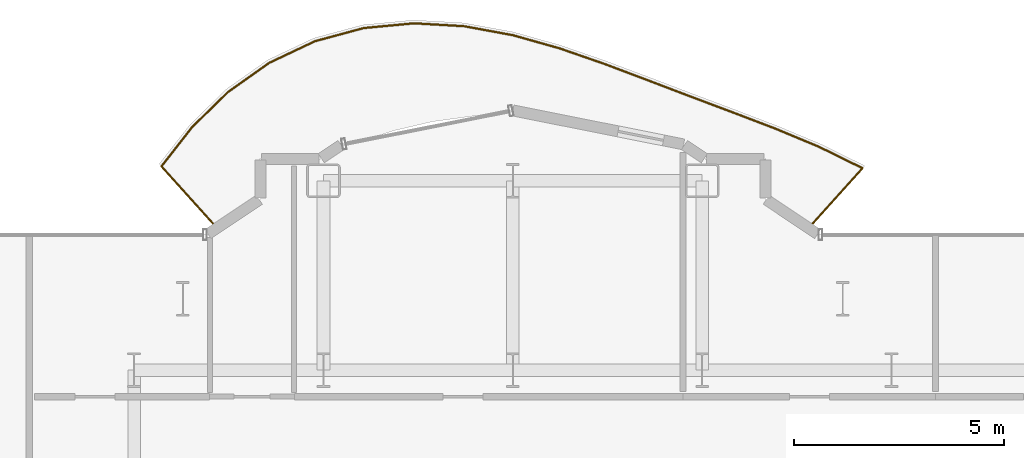
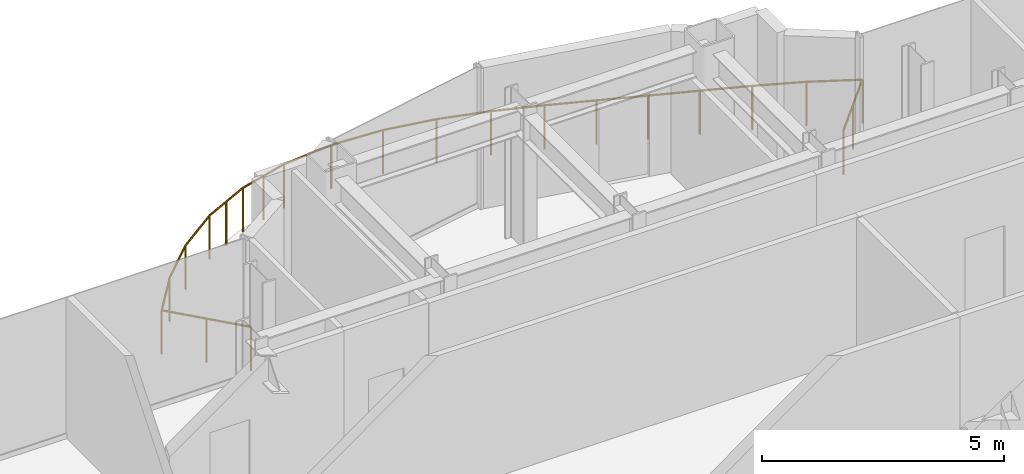
# One storey, part 26 of 26: 1 railing.
"""IFC4 building model written with IfcOpenShell, lengths in metres."""

import ifcopenshell
import ifcopenshell.guid

model = None  # the IFC model being written
_history = None  # IfcOwnerHistory: only IFC2X3 demands one
_inside = {}  # id of a spatial element -> (the spatial element, [elements in it])
_under = {}  # id of a project, library or spatial element -> (it, [spatial elements below it])
_declared = {}  # id of a project -> (the project, [libraries it declares])
_typed = {}  # id of a type object -> (the type object, [elements of that type])
_made_of = {}  # id of a material, layer set ... -> (it, [elements and type objects made of it])


def new_model(schema):
    """Start an empty IFC model of exactly this schema.

    Asked for "IFC4X3", IfcOpenShell would pick the latest addendum, in which some entities
    have other attributes; the version numbers below select the first issue.
    IFC2X3 requires an IfcOwnerHistory on every rooted entity: one is made here for all.
    """
    global model, _history
    if schema == "IFC4X3":
        model = ifcopenshell.file(schema_version=(4, 3, 0, 0))
    else:
        model = ifcopenshell.file(schema=schema)
    _inside.clear()
    _under.clear()
    _declared.clear()
    _typed.clear()
    _made_of.clear()
    _history = None
    if model.schema == "IFC2X3":
        org = make("IfcOrganization", Name="unknown")
        user = make(
            "IfcPersonAndOrganization",
            ThePerson=make("IfcPerson", FamilyName="unknown"),
            TheOrganization=org,
        )
        app = make(
            "IfcApplication",
            ApplicationDeveloper=org,
            Version="unknown",
            ApplicationFullName="unknown",
            ApplicationIdentifier="unknown",
        )
        _history = make(
            "IfcOwnerHistory",
            OwningUser=user,
            OwningApplication=app,
            ChangeAction="ADDED",
            CreationDate=0,
        )
    return model


def make(cls, **values):
    """One entity of the class cls with the attributes given. An attribute that is None is left unset."""
    return model.create_entity(
        cls, **{name: value for name, value in values.items() if value is not None}
    )


def rooted(cls, **values):
    """An entity with a GlobalId (a new one), such as an element, a storey or a relation."""
    return make(cls, GlobalId=ifcopenshell.guid.new(), OwnerHistory=_history, **values)


def si_unit(unit_type, name, prefix=None):
    """IfcSIUnit, for example si_unit("LENGTHUNIT", "METRE", prefix="MILLI")."""
    return make("IfcSIUnit", UnitType=unit_type, Prefix=prefix, Name=name)


def assignment(units):
    """IfcUnitAssignment: the units of a project."""
    return None if units is None else make("IfcUnitAssignment", Units=units)


def point(xyz):
    """IfcCartesianPoint."""
    return None if xyz is None else make("IfcCartesianPoint", Coordinates=xyz)


def direction(xyz):
    """IfcDirection."""
    return None if xyz is None else make("IfcDirection", DirectionRatios=xyz)


def frame(location, z_axis=None, x_axis=None):
    """IfcAxis2Placement3D, a coordinate frame: its origin and axes. An axis left out is left unset."""
    return make(
        "IfcAxis2Placement3D",
        Location=point(location),
        Axis=direction(z_axis),
        RefDirection=direction(x_axis),
    )


def frame_2d(location, x_axis=None):
    """IfcAxis2Placement2D, a coordinate frame in the plane: its origin and x axis."""
    return make(
        "IfcAxis2Placement2D", Location=point(location), RefDirection=direction(x_axis)
    )


def origin():
    """The frame at (0, 0, 0) with its axes left unset."""
    return frame((0.0, 0.0, 0.0))


def origin_2d():
    """The frame at (0, 0) in the plane with its x axis left unset."""
    return frame_2d((0.0, 0.0))


def place(relative_to, where):
    """IfcLocalPlacement: puts the frame where relative to a parent placement (None: the world)."""
    return make(
        "IfcLocalPlacement", PlacementRelTo=relative_to, RelativePlacement=where
    )


def context(
    kind, dimensions, precision=None, world=None, true_north=None, identifier=None
):
    """IfcGeometricRepresentationContext, for example the 3D "Model" context."""
    return make(
        "IfcGeometricRepresentationContext",
        ContextIdentifier=identifier,
        ContextType=kind,
        CoordinateSpaceDimension=dimensions,
        Precision=precision,
        WorldCoordinateSystem=world,
        TrueNorth=true_north,
    )


def subcontext(parent, identifier, kind, view, scale=None):
    """IfcGeometricRepresentationSubContext, for example "Body" below "Model"."""
    return make(
        "IfcGeometricRepresentationSubContext",
        ContextIdentifier=identifier,
        ContextType=kind,
        ParentContext=parent,
        TargetScale=scale,
        TargetView=view,
    )


def project(units=None, contexts=None):
    """IfcProject with its units and contexts."""
    return rooted(
        "IfcProject",
        Name="project",
        RepresentationContexts=contexts,
        UnitsInContext=assignment(units),
    )


def spatial(cls, under=None, at=None, **own):
    """A site, building, storey or space (cls), placed at a placement, below another one or the project."""
    s = rooted(cls, ObjectPlacement=at, **own)
    if under is not None:
        _under.setdefault(under.id(), (under, []))[1].append(s)
    return s


def profile(cls, at=None, kind="AREA", **sizes):
    """A parametric profile (cls). Its sizes go by their IFC names, for example OverallWidth=200.0."""
    return make(cls, ProfileType=kind, Position=at, **sizes)


def circle(**sizes):
    """IfcCircleProfileDef."""
    return profile("IfcCircleProfileDef", **sizes)


def extrude(swept, where, along, depth):
    """IfcExtrudedAreaSolid: the profile swept, set in the frame where, extruded along a direction by depth."""
    return make(
        "IfcExtrudedAreaSolid",
        SweptArea=swept,
        Position=where,
        ExtrudedDirection=direction(along),
        Depth=depth,
    )


def shape(context_of_items, identifier, shape_type, items):
    """IfcShapeRepresentation: the items that make up one representation, for example the "Body"."""
    return make(
        "IfcShapeRepresentation",
        ContextOfItems=context_of_items,
        RepresentationIdentifier=identifier,
        RepresentationType=shape_type,
        Items=items,
    )


def material(Name=None, Category=None):
    """IfcMaterial."""
    return make("IfcMaterial", Name=Name, Category=Category)


def made_of(thing, what):
    """Note that an element or type object is made of a material, layer set ...; save() writes the relation."""
    if what is not None:
        _made_of.setdefault(what.id(), (what, []))[1].append(thing)
    return thing


def type_object(cls, material=None, **own):
    """A type object (cls), such as IfcWallType, which elements share."""
    return made_of(rooted(cls, **own), material)


def element(
    cls,
    number,
    at=None,
    inside=None,
    cuts=None,
    type_object=None,
    material=None,
    context=None,
    identifier="Body",
    shape_type=None,
    held_by="IfcProductDefinitionShape",
    body=None,
    shapes=None,
    **own,
):
    """One element of the class cls, such as IfcWall. Its Tag is "e" and its number.

    at: its placement. inside: the storey or other place that contains it. cuts: it is an
    opening in that element (IfcRelVoidsElement). A single representation is given by context,
    identifier, shape_type and body (its items); several are given by shapes. held_by: the class
    of the entity that holds the representations. save() writes the other relations.
    """
    e = rooted(cls, Tag="e%d" % number, ObjectPlacement=at, **own)
    if body is not None:
        shapes = [shape(context, identifier, shape_type, body)]
    if shapes is not None:
        e.Representation = make(held_by, Representations=shapes)
    if inside is not None:
        _inside.setdefault(inside.id(), (inside, []))[1].append(e)
    if cuts is not None:
        rooted(
            "IfcRelVoidsElement", RelatingBuildingElement=cuts, RelatedOpeningElement=e
        )
    if type_object is not None:
        _typed.setdefault(type_object.id(), (type_object, []))[1].append(e)
    return made_of(e, material)


def aggregate(whole, parts):
    """IfcRelAggregates: a whole, such as a stair, and the parts it consists of."""
    return rooted("IfcRelAggregates", RelatingObject=whole, RelatedObjects=parts)


def save(model, path):
    """Write the relations noted so far, then the file.

    IfcRelAggregates (storeys below a building ...), IfcRelContainedInSpatialStructure (elements
    in a storey), IfcRelDefinesByType, IfcRelAssociatesMaterial and IfcRelDeclares: one each for
    every whole, place, type object, material and project.
    """
    for whole, parts in _under.values():
        aggregate(whole, parts)
    for where, things in _inside.values():
        rooted(
            "IfcRelContainedInSpatialStructure",
            RelatedElements=things,
            RelatingStructure=where,
        )
    for kind, things in _typed.values():
        rooted("IfcRelDefinesByType", RelatedObjects=things, RelatingType=kind)
    for what, things in _made_of.values():
        rooted("IfcRelAssociatesMaterial", RelatedObjects=things, RelatingMaterial=what)
    for by, libraries in _declared.values():
        rooted("IfcRelDeclares", RelatingContext=by, RelatedDefinitions=libraries)
    model.write(path)


model = new_model("IFC4")

# Units and contexts
model_context = context("Model", 3, precision=1e-05, world=origin(), true_north=direction((0.0, 1.0)))
body_context = subcontext(model_context, "Body", "Model", "MODEL_VIEW")
ifc_project = project(units=[si_unit("LENGTHUNIT", "METRE"), si_unit("AREAUNIT", "SQUARE_METRE"), si_unit("VOLUMEUNIT", "CUBIC_METRE"), si_unit("PLANEANGLEUNIT", "RADIAN"), si_unit("MASSUNIT", "GRAM", prefix="KILO")], contexts=[model_context])

# Site, building, storey
site_placement = place(None, origin())
site = spatial("IfcSite", under=ifc_project, at=site_placement, CompositionType="ELEMENT")
building_placement = place(site_placement, origin())
building = spatial("IfcBuilding", under=site, at=building_placement, Name="Nefas-Gora Pilgrimage Tower", CompositionType="ELEMENT")
storey_placement = place(building_placement, frame((0.0, 0.0, 171.60009765625)))
storey = spatial("IfcBuildingStorey", under=building, at=storey_placement, Name="L42", CompositionType="ELEMENT", Elevation=171.60009765625)

# Railing
ifc_material = material(Name="Laminated safety glass and stainless steel", Category="steel")
railing_type = type_object("IfcRailingType", Name="RLG-BAL-1100", PredefinedType="BALUSTRADE", material=ifc_material)
railing_placement = place(storey_placement, frame((4.802490234375, 21.402587890625, 0.0)))
element("IfcRailing", 1, at=railing_placement, inside=storey, type_object=railing_type, Name="L42 Wave Balcony Balustrade N1", PredefinedType="BALUSTRADE", context=body_context, shape_type="SweptSolid", body=[
    extrude(circle(Radius=0.02392578125, at=origin_2d()), frame((0.0, 0.0, 1.09619140625), z_axis=(0.669129721026, 0.743145622634, 0.0), x_axis=(-0.743145622634, 0.669129721026, 0.0)), (0.0, 0.0, 1.0), 1.880126953125),
    extrude(circle(Radius=0.02392578125, at=origin_2d()), frame((1.258056640625, 1.397216796875, 1.09619140625), z_axis=(-0.897530866126, 0.440951634934, 0.0), x_axis=(-0.440951634934, -0.897530866126, 0.0)), (0.0, 0.0, 1.0), 1.156005859375),
    extrude(circle(Radius=0.02392578125, at=origin_2d()), frame((0.220458984375, 1.906982421875, 1.09619140625), z_axis=(-0.923243625246, 0.38421505494, 0.0), x_axis=(-0.38421505494, -0.923243625246, 0.0)), (0.0, 0.0, 1.0), 1.1259765625),
    extrude(circle(Radius=0.02392578125, at=origin_2d()), frame((-0.819091796875, 2.339599609375, 1.09619140625), z_axis=(-0.934374803471, 0.356291631447, 0.0), x_axis=(-0.356291631447, -0.934374803471, 0.0)), (0.0, 0.0, 1.0), 1.096435546875),
    extrude(circle(Radius=0.02392578125, at=origin_2d()), frame((-1.843505859375, 2.730224609375, 1.09619140625), z_axis=(-0.936142832811, 0.351619960436, 0.0), x_axis=(-0.351619960436, -0.936142832811, 0.0)), (0.0, 0.0, 1.0), 1.07763671875),
    extrude(circle(Radius=0.02392578125, at=origin_2d()), frame((-2.852294921875, 3.109130859375, 1.09619140625), z_axis=(-0.934584678215, 0.355740747239, 0.0), x_axis=(-0.355740747239, -0.934584678215, 0.0)), (0.0, 0.0, 1.0), 1.076904296875),
    extrude(circle(Radius=0.02392578125, at=origin_2d()), frame((-3.858642578125, 3.4921875, 1.09619140625), z_axis=(-0.935740767911, 0.352688552791, 0.0), x_axis=(-0.352688552791, -0.935740767911, 0.0)), (0.0, 0.0, 1.0), 1.09375),
    extrude(circle(Radius=0.02392578125, at=origin_2d()), frame((-4.882080078125, 3.8779296875, 1.09619140625), z_axis=(-0.944898112614, 0.327364562496, 0.0), x_axis=(-0.327364562496, -0.944898112614, 0.0)), (0.0, 0.0, 1.0), 1.122314453125),
    extrude(circle(Radius=0.02392578125, at=origin_2d()), frame((-5.942626953125, 4.245361328125, 1.09619140625), z_axis=(-0.96246102168, 0.271419936162, 0.0), x_axis=(-0.271419936162, -0.96246102168, 0.0)), (0.0, 0.0, 1.0), 1.153076171875),
    extrude(circle(Radius=0.02392578125, at=origin_2d()), frame((-7.052490234375, 4.558349609375, 1.09619140625), z_axis=(-0.983449300548, 0.181183534713, 0.0), x_axis=(-0.181183534713, -0.983449300548, 0.0)), (0.0, 0.0, 1.0), 1.177734375),
    extrude(circle(Radius=0.02392578125, at=origin_2d()), frame((-8.210693359375, 4.771728515625, 1.09619140625), z_axis=(-0.998344239726, 0.057521987157, 0.0), x_axis=(-0.057521987157, -0.998344239726, 0.0)), (0.0, 0.0, 1.0), 1.192626953125),
    extrude(circle(Radius=0.02392578125, at=origin_2d()), frame((-9.4013671875, 4.84033203125, 1.09619140625), z_axis=(-0.995583812975, -0.093876894617, 0.0), x_axis=(0.093876894617, -0.995583812975, 0.0)), (0.0, 0.0, 1.0), 1.198974609375),
    extrude(circle(Radius=0.02392578125, at=origin_2d()), frame((-10.594970703125, 4.727783203125, 1.09619140625), z_axis=(-0.965413215034, -0.260724613793, 0.0), x_axis=(0.260724613793, -0.965413215034, 0.0)), (0.0, 0.0, 1.0), 1.200439453125),
    extrude(circle(Radius=0.02392578125, at=origin_2d()), frame((-11.75390625, 4.414794921875, 1.09619140625), z_axis=(-0.904015108166, -0.427500507844, 0.0), x_axis=(0.427500507844, -0.904015108166, 0.0)), (0.0, 0.0, 1.0), 1.200439453125),
    extrude(circle(Radius=0.02392578125, at=origin_2d()), frame((-12.839111328125, 3.901611328125, 1.09619140625), z_axis=(-0.816392240184, -0.577497801007, 0.0), x_axis=(0.577497801007, -0.816392240184, 0.0)), (0.0, 0.0, 1.0), 1.19970703125),
    extrude(circle(Radius=0.02392578125, at=origin_2d()), frame((-13.818603515625, 3.208740234375, 1.09619140625), z_axis=(-0.715228965311, -0.698890211106, 0.0), x_axis=(0.698890211106, -0.715228965311, 0.0)), (0.0, 0.0, 1.0), 1.1953125),
    extrude(circle(Radius=0.02392578125, at=origin_2d()), frame((-14.673583984375, 2.373291015625, 1.09619140625), z_axis=(-0.615495930297, -0.78814006356, 0.0), x_axis=(0.78814006356, -0.615495930297, 0.0)), (0.0, 0.0, 1.0), 1.18359375),
    extrude(circle(Radius=0.02392578125, at=origin_2d()), frame((-15.402099609375, 1.4404296875, 1.09619140625), z_axis=(0.669173462492, -0.743106235404, 0.0), x_axis=(0.743106235404, 0.669173462492, 0.0)), (0.0, 0.0, 1.0), 1.9384765625),
    extrude(circle(Radius=0.02099609375, at=origin_2d()), origin(), (0.0, 0.0, 1.0), 1.072021484375),
    extrude(circle(Radius=0.02099609375, at=origin_2d()), frame((0.62890625, 0.69873046875, 0.0)), (0.0, 0.0, 1.0), 1.072021484375),
    extrude(circle(Radius=0.02099609375, at=origin_2d()), frame((1.258056640625, 1.397216796875, 0.0)), (0.0, 0.0, 1.0), 1.072021484375),
    extrude(circle(Radius=0.02099609375, at=origin_2d()), frame((0.220458984375, 1.906982421875, 0.0)), (0.0, 0.0, 1.0), 1.072021484375),
    extrude(circle(Radius=0.02099609375, at=origin_2d()), frame((-0.819091796875, 2.339599609375, 0.0)), (0.0, 0.0, 1.0), 1.072021484375),
    extrude(circle(Radius=0.02099609375, at=origin_2d()), frame((-1.843505859375, 2.730224609375, 0.0)), (0.0, 0.0, 1.0), 1.072021484375),
    extrude(circle(Radius=0.02099609375, at=origin_2d()), frame((-2.852294921875, 3.109130859375, 0.0)), (0.0, 0.0, 1.0), 1.072021484375),
    extrude(circle(Radius=0.02099609375, at=origin_2d()), frame((-3.858642578125, 3.4921875, 0.0)), (0.0, 0.0, 1.0), 1.072021484375),
    extrude(circle(Radius=0.02099609375, at=origin_2d()), frame((-4.882080078125, 3.8779296875, 0.0)), (0.0, 0.0, 1.0), 1.072021484375),
    extrude(circle(Radius=0.02099609375, at=origin_2d()), frame((-5.942626953125, 4.245361328125, 0.0)), (0.0, 0.0, 1.0), 1.072021484375),
    extrude(circle(Radius=0.02099609375, at=origin_2d()), frame((-7.052490234375, 4.558349609375, 0.0)), (0.0, 0.0, 1.0), 1.072021484375),
    extrude(circle(Radius=0.02099609375, at=origin_2d()), frame((-8.210693359375, 4.771728515625, 0.0)), (0.0, 0.0, 1.0), 1.072021484375),
    extrude(circle(Radius=0.02099609375, at=origin_2d()), frame((-9.4013671875, 4.84033203125, 0.0)), (0.0, 0.0, 1.0), 1.072021484375),
    extrude(circle(Radius=0.02099609375, at=origin_2d()), frame((-10.594970703125, 4.727783203125, 0.0)), (0.0, 0.0, 1.0), 1.072021484375),
    extrude(circle(Radius=0.02099609375, at=origin_2d()), frame((-11.17431640625, 4.5712890625, 0.0)), (0.0, 0.0, 1.0), 1.072021484375),
    extrude(circle(Radius=0.02099609375, at=origin_2d()), frame((-11.75390625, 4.414794921875, 0.0)), (0.0, 0.0, 1.0), 1.072021484375),
    extrude(circle(Radius=0.02099609375, at=origin_2d()), frame((-12.29638671875, 4.158203125, 0.0)), (0.0, 0.0, 1.0), 1.072021484375),
    extrude(circle(Radius=0.02099609375, at=origin_2d()), frame((-12.839111328125, 3.901611328125, 0.0)), (0.0, 0.0, 1.0), 1.072021484375),
    extrude(circle(Radius=0.02099609375, at=origin_2d()), frame((-13.818603515625, 3.208740234375, 0.0)), (0.0, 0.0, 1.0), 1.072021484375),
    extrude(circle(Radius=0.02099609375, at=origin_2d()), frame((-14.673583984375, 2.373291015625, 0.0)), (0.0, 0.0, 1.0), 1.072021484375),
    extrude(circle(Radius=0.02099609375, at=origin_2d()), frame((-15.402099609375, 1.4404296875, 0.0)), (0.0, 0.0, 1.0), 1.072021484375),
    extrude(circle(Radius=0.02099609375, at=origin_2d()), frame((-14.75341796875, 0.72021484375, 0.0)), (0.0, 0.0, 1.0), 1.072021484375),
    extrude(circle(Radius=0.02099609375, at=origin_2d()), frame((-14.10498046875, 0.0, 0.0)), (0.0, 0.0, 1.0), 1.072021484375),
])

save(model, "model.ifc")
